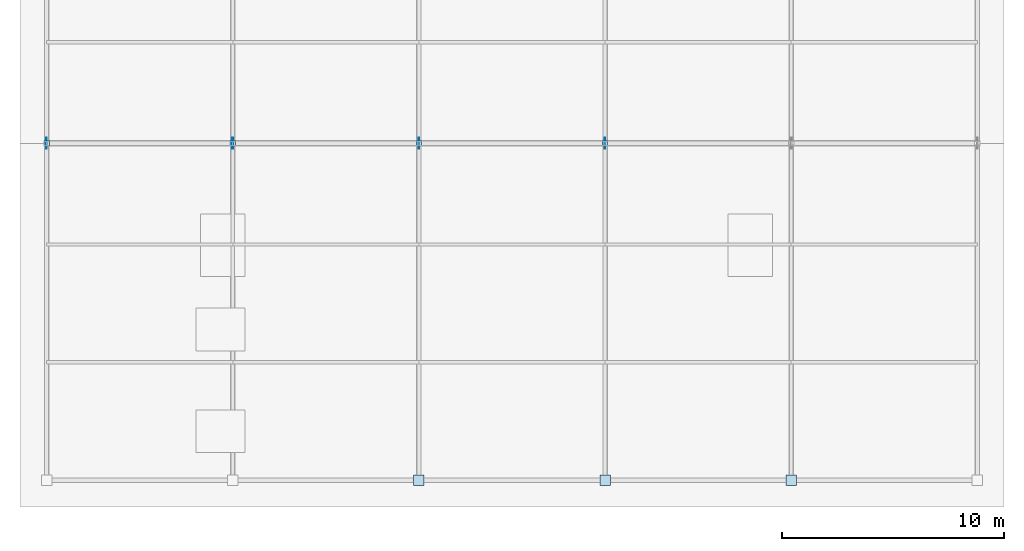
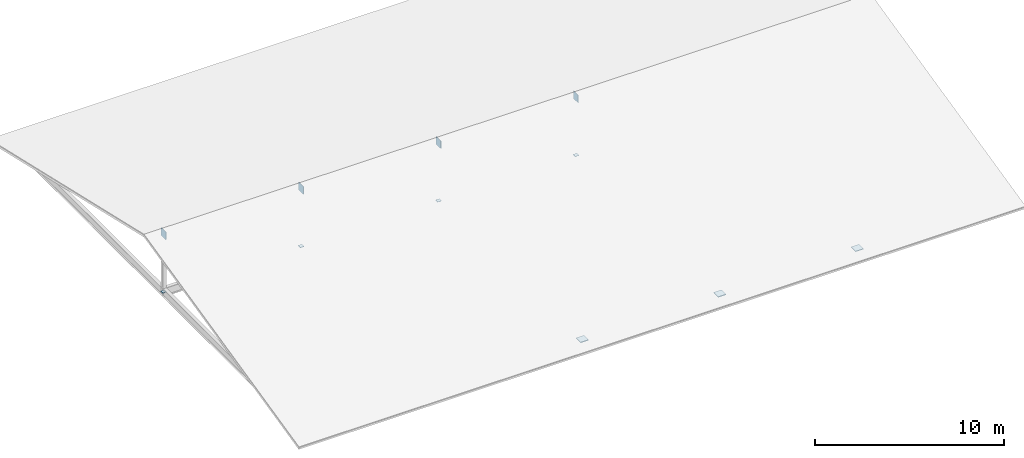
# One storey, part 6 of 8: 11 plates.
"""IFC4 building model written with IfcOpenShell, lengths in metres."""

from ifc_helpers import new_model, si_unit, direction, frame, origin, origin_2d, place, context, subcontext, project, spatial, rectangle, extrude, material, layer, layer_set, type_object, element, save


model = new_model("IFC4")

# Units and contexts
model_context = context("Model", 3, precision=1e-05, world=origin(), true_north=direction((0.0, 1.0)))
body_context = subcontext(model_context, "Body", "Model", "MODEL_VIEW")
ifc_project = project(units=[si_unit("LENGTHUNIT", "METRE"), si_unit("AREAUNIT", "SQUARE_METRE"), si_unit("VOLUMEUNIT", "CUBIC_METRE"), si_unit("PLANEANGLEUNIT", "RADIAN"), si_unit("MASSUNIT", "GRAM", prefix="KILO")], contexts=[model_context])

# Site, building, storey
site_placement = place(None, origin())
site = spatial("IfcSite", under=ifc_project, at=site_placement, CompositionType="ELEMENT")
building_placement = place(site_placement, origin())
building = spatial("IfcBuilding", under=site, at=building_placement, Name="Zuvorla Pavilion Media Centre", CompositionType="ELEMENT")
storey_placement = place(building_placement, frame((0.0, 0.0, 31.199951171875)))
storey = spatial("IfcBuildingStorey", under=building, at=storey_placement, Name="RF", CompositionType="ELEMENT", Elevation=31.199951171875)

# Plates
ifc_material = material(Name="Steel S355", Category="steel")
ifc_layer_1 = layer(ifc_material, 0.0380859375)
ifc_layer_set_1 = layer_set([ifc_layer_1], Name="Steel S355")
plate_type_1 = type_object("IfcPlateType", Name="PLT-BAS-38", PredefinedType="USERDEFINED", material=ifc_layer_set_1)
for number, where, z_axis, x_axis, name in (
    (1, (83.60009765625, 6.0, -0.0390625), (0.0, 0.0, 1.0), (1.0, 0.0, 0.0), "RF base plate BP38 155"),
    (2, (92.0, 6.0, -0.0390625), (0.0, 0.0, 1.0), (1.0, 0.0, 0.0), "RF base plate BP38 157"),
    (3, (100.39990234375, 6.0, -0.0390625), (0.0, 0.0, 1.0), (1.0, 0.0, 0.0), "RF base plate BP38 159"),
):
    element("IfcPlate", number, at=place(storey_placement, frame(where, z_axis=z_axis, x_axis=x_axis)), inside=storey, type_object=plate_type_1, Name=name, ObjectType="BASE_PLATE", PredefinedType="USERDEFINED", context=body_context, shape_type="SweptSolid", body=[
        extrude(rectangle(XDim=0.47998046875, YDim=0.47998046875, at=origin_2d()), origin(), (0.0, 0.0, 1.0), 0.0380859375),
    ])
ifc_layer_2 = layer(ifc_material, 0.01611328125)
ifc_layer_set_2 = layer_set([ifc_layer_2], Name="Steel S355")
plate_type_2 = type_object("IfcPlateType", Name="PLT-CAP-16", PredefinedType="USERDEFINED", material=ifc_layer_set_2)
for number, where, z_axis, x_axis, name in (
    (4, (66.800048828125, 21.199951171875, -0.2880859375), (0.0, 0.0, 1.0), (1.0, 0.0, 0.0), "RF cap plate CP16 507"),
    (5, (75.199951171875, 21.199951171875, -0.2880859375), (0.0, 0.0, 1.0), (1.0, 0.0, 0.0), "RF cap plate CP16 508"),
    (6, (83.60009765625, 21.199951171875, -0.2880859375), (0.0, 0.0, 1.0), (1.0, 0.0, 0.0), "RF cap plate CP16 509"),
    (7, (92.0, 21.199951171875, -0.2880859375), (0.0, 0.0, 1.0), (1.0, 0.0, 0.0), "RF cap plate CP16 510"),
):
    element("IfcPlate", number, at=place(storey_placement, frame(where, z_axis=z_axis, x_axis=x_axis)), inside=storey, type_object=plate_type_2, Name=name, ObjectType="CAP_PLATE", PredefinedType="USERDEFINED", context=body_context, shape_type="SweptSolid", body=[
        extrude(rectangle(XDim=0.239990234375, YDim=0.239990234375, at=origin_2d()), origin(), (0.0, 0.0, 1.0), 0.01611328125),
    ])
ifc_layer_3 = layer(ifc_material, 0.031982421875)
ifc_layer_set_3 = layer_set([ifc_layer_3], Name="Steel S355")
plate_type_3 = type_object("IfcPlateType", Name="PLT-GUS-32", PredefinedType="USERDEFINED", material=ifc_layer_set_3)
for number, where, z_axis, x_axis, name in (
    (8, (66.800048828125, 21.199951171875, 3.219970703125), (0.0, 0.0, 1.0), (1.0, 0.0, 0.0), "RF gusset plate GP32 152"),
    (9, (75.199951171875, 21.199951171875, 3.219970703125), (0.0, 0.0, 1.0), (1.0, 0.0, 0.0), "RF gusset plate GP32 154"),
    (10, (83.60009765625, 21.199951171875, 3.219970703125), (0.0, 0.0, 1.0), (1.0, 0.0, 0.0), "RF gusset plate GP32 156"),
    (11, (92.0, 21.199951171875, 3.219970703125), (0.0, 0.0, 1.0), (1.0, 0.0, 0.0), "RF gusset plate GP32 158"),
):
    element("IfcPlate", number, at=place(storey_placement, frame(where, z_axis=z_axis, x_axis=x_axis)), inside=storey, type_object=plate_type_3, Name=name, ObjectType="GUSSET_PLATE", PredefinedType="USERDEFINED", context=body_context, shape_type="SweptSolid", body=[
        extrude(rectangle(XDim=0.031982421875, YDim=0.5, at=origin_2d()), origin(), (0.0, 0.0, 1.0), 0.5),
    ])

save(model, "model.ifc")
